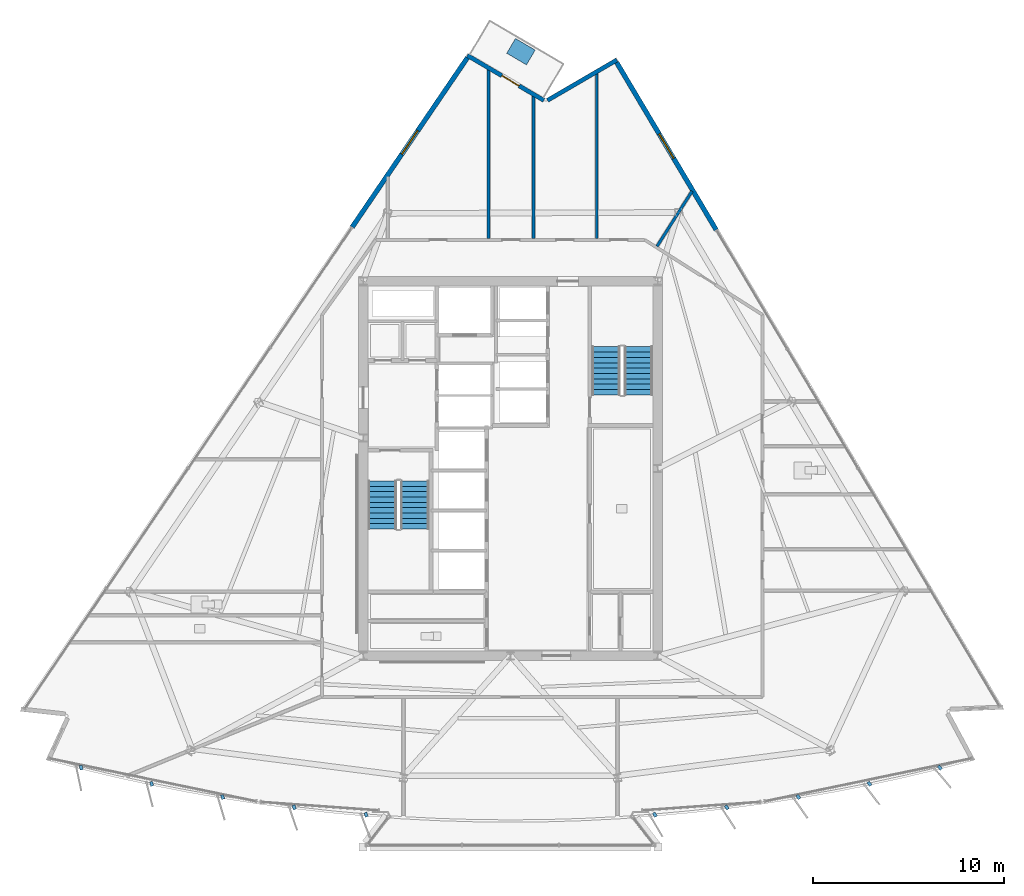
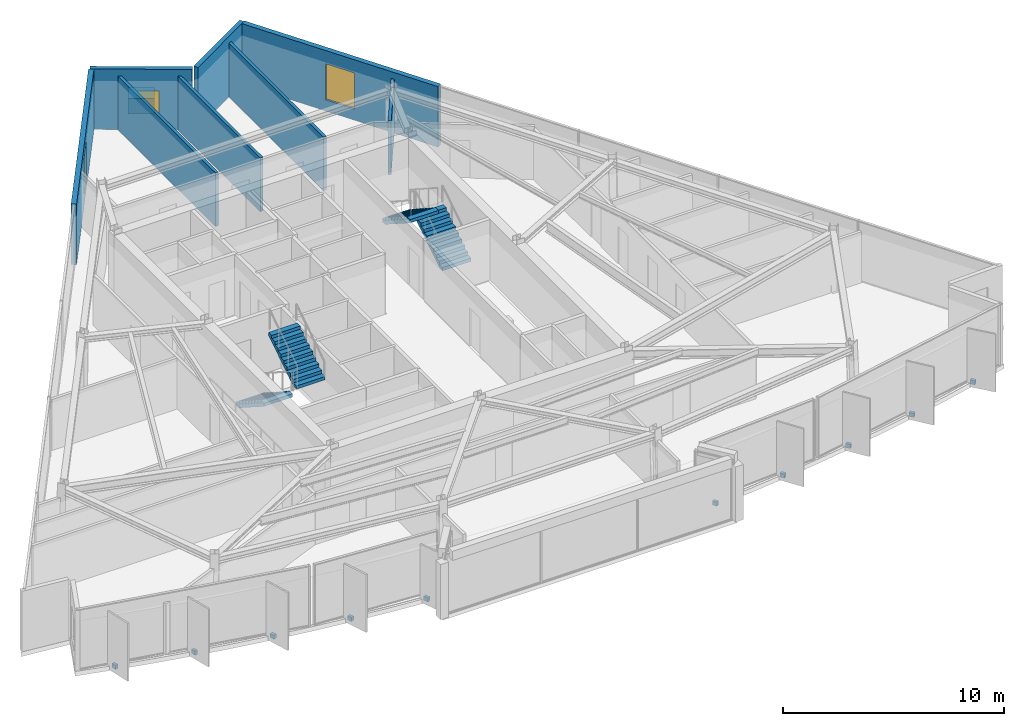
# One storey, part 10 of 14: 11 discrete accessories, 8 walls, 4 stair flights, 2 windows, 1 door, 3 openings, 2 elements without a shape of their own.
"""IFC4 building model written with IfcOpenShell, lengths in metres."""

from ifc_helpers import new_model, si_unit, direction, frame, frame_2d, origin, origin_2d, place, context, subcontext, project, spatial, polyline, rectangle, outline, extrude, material, layer, layer_set, type_object, element, fill, aggregate, save


model = new_model("IFC4")

# Units and contexts
model_context = context("Model", 3, precision=1e-05, world=origin(), true_north=direction((0.0, 1.0)))
body_context = subcontext(model_context, "Body", "Model", "MODEL_VIEW")
ifc_project = project(units=[si_unit("LENGTHUNIT", "METRE"), si_unit("AREAUNIT", "SQUARE_METRE"), si_unit("VOLUMEUNIT", "CUBIC_METRE"), si_unit("PLANEANGLEUNIT", "RADIAN"), si_unit("MASSUNIT", "GRAM", prefix="KILO")], contexts=[model_context])

# Site, building, storey
site_placement = place(None, origin())
site = spatial("IfcSite", under=ifc_project, at=site_placement, CompositionType="ELEMENT")
building_placement = place(site_placement, origin())
building = spatial("IfcBuilding", under=site, at=building_placement, Name="Savorim Split Tower", CompositionType="ELEMENT")
storey_placement = place(building_placement, frame((0.0, 0.0, 209.10009765625)))
storey = spatial("IfcBuildingStorey", under=building, at=storey_placement, Name="L55", CompositionType="ELEMENT", Elevation=209.10009765625)

# Wall
ifc_material_1 = material(Name="Precast concrete C40/50", Category="concrete")
ifc_layer_1 = layer(ifc_material_1, 0.219970703125)
ifc_layer_set_1 = layer_set([ifc_layer_1], Name="WAL-EXT-CRN220")
wall_type_1 = type_object("IfcWallType", Name="WAL-EXT-CRN220", PredefinedType="SOLIDWALL", material=ifc_layer_set_1)
wall_1_placement = place(storey_placement, frame((1.935302734375, 19.656494140625, 0.0), z_axis=(0.0, 0.0, 1.0), x_axis=(0.863987356641, 0.503513502862, 0.0)))
element("IfcWall", 1, at=wall_1_placement, inside=storey, type_object=wall_type_1, Name="L55 Notched Corner Facade Wall NE1", PredefinedType="SOLIDWALL", context=body_context, shape_type="SweptSolid", body=[
    extrude(rectangle(XDim=4.203857421875, YDim=0.219970703125, at=frame_2d((2.10205078125, 0.0))), origin(), (0.0, 0.0, 1.0), 3.349853515625),
])

# Wall, opening, door
wall_2_placement = place(storey_placement, frame((-2.25927734375, 22.01025390625, 0.0), z_axis=(0.0, 0.0, 1.0), x_axis=(0.862123324624, -0.506698503193, 0.0)))
wall_2 = element("IfcWall", 2, at=wall_2_placement, inside=storey, type_object=wall_type_1, Name="L55 Notched Corner Facade Wall N", PredefinedType="SOLIDWALL", context=body_context, shape_type="SweptSolid", body=[
    extrude(rectangle(XDim=4.644775390625, YDim=0.219970703125, at=frame_2d((2.322265625, 0.0))), origin(), (0.0, 0.0, 1.0), 3.349853515625),
])
opening_1_placement = place(wall_2_placement, frame((2.097412109375, 0.0, 0.0)))
opening_1 = element("IfcOpeningElement", 3, at=opening_1_placement, cuts=wall_2, Name="Opening DB-01", PredefinedType="OPENING", context=body_context, shape_type="SweptSolid", body=[
    extrude(rectangle(XDim=1.050048828125, YDim=2.14990234375, at=frame_2d((0.52490234375, 1.074951171875))), frame((0.0, 0.119873046875, 0.0), z_axis=(0.0, -1.0, 0.0), x_axis=(1.0, 0.0, 0.0)), (0.0, 0.0, 1.0), 0.239990234375),
])
ifc_material_2 = material(Name="Charcoal Anodised Aluminium", Category="aluminium")
door_type = type_object("IfcDoorType", Name="DOR-BAL-1050", OperationType="NOTDEFINED", PredefinedType="DOOR", material=ifc_material_2)
door_placement = place(opening_1_placement, origin())
door = element("IfcDoor", 4, at=door_placement, inside=storey, type_object=door_type, Name="DOR-L55-TBAL-N - L55 Planted Tree Balcony Door N", OperationType="SINGLE_SWING_RIGHT", OverallHeight=2.14990234375, OverallWidth=1.050048828125, PredefinedType="DOOR", context=body_context, shape_type="SweptSolid", body=[
    extrude(rectangle(XDim=1.050048828125, YDim=2.14990234375, at=frame_2d((0.52490234375, 1.074951171875))), frame((0.0, 0.02490234375, 0.0), z_axis=(0.0, -1.0, 0.0), x_axis=(1.0, 0.0, 0.0)), (0.0, 0.0, 1.0), 0.050048828125),
])
fill(opening_1, door)

# Wall, opening, window
ifc_layer_2 = layer(ifc_material_1, 0.25)
ifc_layer_set_2 = layer_set([ifc_layer_2], Name="WAL-EXT-SPN250")
wall_type_2 = type_object("IfcWallType", Name="WAL-EXT-SPN250", PredefinedType="SOLIDWALL", material=ifc_layer_set_2)
wall_3_placement = place(storey_placement, frame((5.55078125, 21.646728515625, 0.0), z_axis=(0.0, 0.0, 1.0), x_axis=(0.511094988088, -0.859524236512, 0.0)))
wall_3 = element("IfcWall", 5, at=wall_3_placement, inside=storey, type_object=wall_type_2, Name="L55 East Operable Window Pier", PredefinedType="SOLIDWALL", context=body_context, shape_type="SweptSolid", body=[
    extrude(rectangle(XDim=10.199951171875, YDim=0.25, at=frame_2d((5.10009765625, 0.0))), origin(), (0.0, 0.0, 1.0), 3.349853515625),
])
opening_2_placement = place(wall_3_placement, frame((4.35009765625, 0.0, 0.6201171875)))
opening_2 = element("IfcOpeningElement", 6, at=opening_2_placement, cuts=wall_3, Name="Opening WN-06", PredefinedType="OPENING", context=body_context, shape_type="SweptSolid", body=[
    extrude(rectangle(XDim=1.5, YDim=2.0, at=frame_2d((0.75, 1.0))), frame((0.0, 0.135009765625, 0.0), z_axis=(0.0, -1.0, 0.0), x_axis=(1.0, 0.0, 0.0)), (0.0, 0.0, 1.0), 0.27001953125),
])
ifc_material_3 = material(Name="Low-E Operable Double Glazing", Category="glass")
window_type = type_object("IfcWindowType", Name="WIN-TWR-1500x2000", PartitioningType="SINGLE_PANEL", PredefinedType="WINDOW", material=ifc_material_3)
window_1_placement = place(opening_2_placement, origin())
window_1 = element("IfcWindow", 7, at=window_1_placement, inside=storey, type_object=window_type, Name="L55 East Operable Ventilation Window", OverallHeight=2.0, OverallWidth=1.5, PartitioningType="SINGLE_PANEL", PredefinedType="WINDOW", context=body_context, shape_type="SweptSolid", body=[
    extrude(rectangle(XDim=1.5, YDim=2.0, at=frame_2d((0.75, 1.0))), frame((0.0, 0.030029296875, 0.0), z_axis=(0.0, -1.0, 0.0), x_axis=(1.0, 0.0, 0.0)), (0.0, 0.0, 1.0), 0.06005859375),
])
fill(opening_2, window_1)

wall_4_placement = place(storey_placement, frame((-8.28369140625, 13.02587890625, 0.0), z_axis=(0.0, 0.0, 1.0), x_axis=(0.562468945091, 0.826818411629, 0.0)))
wall_4 = element("IfcWall", 8, at=wall_4_placement, inside=storey, type_object=wall_type_2, Name="L55 West Operable Window Pier", PredefinedType="SOLIDWALL", context=body_context, shape_type="SweptSolid", body=[
    extrude(rectangle(XDim=10.714111328125, YDim=0.25, at=frame_2d((5.35693359375, 0.0))), origin(), (0.0, 0.0, 1.0), 3.349853515625),
])
opening_3_placement = place(wall_4_placement, frame((4.607177734375, 0.0, 0.6201171875)))
opening_3 = element("IfcOpeningElement", 9, at=opening_3_placement, cuts=wall_4, Name="Opening WN-06", PredefinedType="OPENING", context=body_context, shape_type="SweptSolid", body=[
    extrude(rectangle(XDim=1.5, YDim=2.0, at=frame_2d((0.75, 1.0))), frame((0.0, 0.135009765625, 0.0), z_axis=(0.0, -1.0, 0.0), x_axis=(1.0, 0.0, 0.0)), (0.0, 0.0, 1.0), 0.27001953125),
])
window_2_placement = place(opening_3_placement, origin())
window_2 = element("IfcWindow", 10, at=window_2_placement, inside=storey, type_object=window_type, Name="L55 West Operable Ventilation Window", OverallHeight=2.0, OverallWidth=1.5, PartitioningType="SINGLE_PANEL", PredefinedType="WINDOW", context=body_context, shape_type="SweptSolid", body=[
    extrude(rectangle(XDim=1.5, YDim=2.0, at=frame_2d((0.75, 1.0))), frame((0.0, 0.030029296875, 0.0), z_axis=(0.0, -1.0, 0.0), x_axis=(1.0, 0.0, 0.0)), (0.0, 0.0, 1.0), 0.06005859375),
])
fill(opening_3, window_2)

# Walls
ifc_material_4 = material(Name="Acoustic Gypsum Partition Board")
ifc_layer_3 = layer(ifc_material_4, 0.14990234375)
ifc_layer_set_3 = layer_set([ifc_layer_3], Name="WAL-PAR-150")
wall_type_3 = type_object("IfcWallType", Name="WAL-PAR-150", PredefinedType="PARTITIONING", material=ifc_layer_set_3)
wall_5_placement = place(storey_placement, frame((7.6650390625, 12.02294921875, 0.0), z_axis=(0.0, 0.0, 1.0), x_axis=(0.536741480684, 0.843746752831, 0.0)))
element("IfcWall", 11, at=wall_5_placement, inside=storey, type_object=wall_type_3, Name="L55 Partition W-L55-PRAD07", PredefinedType="PARTITIONING", context=body_context, shape_type="SweptSolid", body=[
    extrude(rectangle(XDim=3.418701171875, YDim=0.14990234375, at=frame_2d((1.70947265625, 0.0))), origin(), (0.0, 0.0, 1.0), 2.974853515625),
])
wall_6_placement = place(storey_placement, frame((1.201416015625, 12.419921875, 0.0), z_axis=(0.0, 0.0, 1.0), x_axis=(0.0, 1.0, 0.0)))
element("IfcWall", 12, at=wall_6_placement, inside=storey, type_object=wall_type_3, Name="L55 Partition W-L55-SUB03", PredefinedType="PARTITIONING", context=body_context, shape_type="SweptSolid", body=[
    extrude(rectangle(XDim=7.498291015625, YDim=0.14990234375, at=frame_2d((3.7490234375, 0.0))), origin(), (0.0, 0.0, 1.0), 2.974853515625),
])
wall_7_placement = place(storey_placement, frame((4.51220703125, 12.419921875, 0.0), z_axis=(0.0, 0.0, 1.0), x_axis=(0.0, 1.0, 0.0)))
element("IfcWall", 13, at=wall_7_placement, inside=storey, type_object=wall_type_3, Name="L55 Partition W-L55-SUB07", PredefinedType="PARTITIONING", context=body_context, shape_type="SweptSolid", body=[
    extrude(rectangle(XDim=8.680419921875, YDim=0.14990234375, at=frame_2d((4.34033203125, 0.0))), origin(), (0.0, 0.0, 1.0), 2.974853515625),
])
wall_8_placement = place(storey_placement, frame((-1.14599609375, 12.419921875, 0.0), z_axis=(0.0, 0.0, 1.0), x_axis=(0.0, 1.0, 0.0)))
element("IfcWall", 14, at=wall_8_placement, inside=storey, type_object=wall_type_3, Name="L55 Partition W-L55-SUB08", PredefinedType="PARTITIONING", context=body_context, shape_type="SweptSolid", body=[
    extrude(rectangle(XDim=8.878173828125, YDim=0.14990234375, at=frame_2d((4.43896484375, 0.0))), origin(), (0.0, 0.0, 1.0), 2.974853515625),
])

# Stair, stair flights
ifc_material_5 = material(Name="Concrete C50/60", Category="concrete")
stair_type = type_object("IfcStairType", Name="STR-DOG-3600", PredefinedType="HALF_TURN_STAIR", material=ifc_material_5)
stair_1_placement = place(storey_placement, origin())
stair_1 = element("IfcStair", 15, at=stair_1_placement, inside=storey, type_object=stair_type, Name="L55 Core Protected Exit Stair ST-1", PredefinedType="HALF_TURN_STAIR")
stair_flight_type = type_object("IfcStairFlightType", Name="SFL-DOG-3600", PredefinedType="STRAIGHT", material=ifc_material_5)
stair_flight_1_placement = place(storey_placement, frame((-6.699951171875, -0.25, 0.0), z_axis=(0.0, 0.0, 1.0), x_axis=(0.0, -1.0, 0.0)))
stair_flight_1 = element("IfcStairFlight", 16, at=stair_flight_1_placement, type_object=stair_flight_type, Name="ST-1 flight 1", NumberOfRisers=10, NumberOfTreads=9, PredefinedType="STRAIGHT", RiserHeight=0.18, TreadLength=0.28, context=body_context, shape_type="SweptSolid", body=[
    extrude(outline(polyline([(0.0, 0.0), (0.0, 0.179931640625), (0.280029296875, 0.179931640625), (0.280029296875, 0.360107421875), (0.56005859375, 0.360107421875), (0.56005859375, 0.5400390625), (0.840087890625, 0.5400390625), (0.840087890625, 0.719970703125), (1.1201171875, 0.719970703125), (1.1201171875, 0.89990234375), (1.39990234375, 0.89990234375), (1.39990234375, 1.080078125), (1.679931640625, 1.080078125), (1.679931640625, 1.260009765625), (1.9599609375, 1.260009765625), (1.9599609375, 1.43994140625), (2.239990234375, 1.43994140625), (2.239990234375, 1.6201171875), (2.52001953125, 1.6201171875), (2.52001953125, 1.800048828125), (2.52001953125, 1.44189453125), (0.277099609375, 0.0), (0.0, 0.0)])), frame((0.0, 0.75, 0.0), z_axis=(0.0, -1.0, 0.0), x_axis=(1.0, 0.0, 0.0)), (0.0, 0.0, 1.0), 1.5),
])
stair_flight_2_placement = place(storey_placement, frame((-5.0, -2.77001953125, 1.7998046875), z_axis=(0.0, 0.0, 1.0), x_axis=(0.0, 1.0, 0.0)))
stair_flight_2 = element("IfcStairFlight", 17, at=stair_flight_2_placement, type_object=stair_flight_type, Name="ST-1 flight 2", NumberOfRisers=10, NumberOfTreads=9, PredefinedType="STRAIGHT", RiserHeight=0.18, TreadLength=0.28, context=body_context, shape_type="SweptSolid", body=[
    extrude(outline(polyline([(0.0, 0.0), (0.0, 0.179931640625), (0.280029296875, 0.179931640625), (0.280029296875, 0.360107421875), (0.56005859375, 0.360107421875), (0.56005859375, 0.5400390625), (0.840087890625, 0.5400390625), (0.840087890625, 0.719970703125), (1.1201171875, 0.719970703125), (1.1201171875, 0.89990234375), (1.39990234375, 0.89990234375), (1.39990234375, 1.080078125), (1.679931640625, 1.080078125), (1.679931640625, 1.260009765625), (1.9599609375, 1.260009765625), (1.9599609375, 1.43994140625), (2.239990234375, 1.43994140625), (2.239990234375, 1.6201171875), (2.52001953125, 1.6201171875), (2.52001953125, 1.800048828125), (2.52001953125, 1.44189453125), (0.277099609375, 0.0), (0.0, 0.0)])), frame((0.0, 0.75, 0.0), z_axis=(0.0, -1.0, 0.0), x_axis=(1.0, 0.0, 0.0)), (0.0, 0.0, 1.0), 1.5),
])
aggregate(stair_1, [stair_flight_1, stair_flight_2])

stair_2_placement = place(storey_placement, origin())
stair_2 = element("IfcStair", 18, at=stair_2_placement, inside=storey, type_object=stair_type, Name="L55 Core Protected Exit Stair ST-2", PredefinedType="HALF_TURN_STAIR")
stair_flight_3_placement = place(storey_placement, frame((6.699951171875, 4.25, 0.0), z_axis=(0.0, 0.0, 1.0), x_axis=(0.0, 1.0, 0.0)))
stair_flight_3 = element("IfcStairFlight", 19, at=stair_flight_3_placement, type_object=stair_flight_type, Name="ST-2 flight 1", NumberOfRisers=10, NumberOfTreads=9, PredefinedType="STRAIGHT", RiserHeight=0.18, TreadLength=0.28, context=body_context, shape_type="SweptSolid", body=[
    extrude(outline(polyline([(0.0, 0.0), (0.0, 0.179931640625), (0.280029296875, 0.179931640625), (0.280029296875, 0.360107421875), (0.56005859375, 0.360107421875), (0.56005859375, 0.5400390625), (0.840087890625, 0.5400390625), (0.840087890625, 0.719970703125), (1.1201171875, 0.719970703125), (1.1201171875, 0.89990234375), (1.39990234375, 0.89990234375), (1.39990234375, 1.080078125), (1.679931640625, 1.080078125), (1.679931640625, 1.260009765625), (1.9599609375, 1.260009765625), (1.9599609375, 1.43994140625), (2.239990234375, 1.43994140625), (2.239990234375, 1.6201171875), (2.52001953125, 1.6201171875), (2.52001953125, 1.800048828125), (2.52001953125, 1.44189453125), (0.277099609375, 0.0), (0.0, 0.0)])), frame((0.0, 0.75, 0.0), z_axis=(0.0, -1.0, 0.0), x_axis=(1.0, 0.0, 0.0)), (0.0, 0.0, 1.0), 1.5),
])
stair_flight_4_placement = place(storey_placement, frame((5.0, 6.77001953125, 1.7998046875), z_axis=(0.0, 0.0, 1.0), x_axis=(0.0, -1.0, 0.0)))
stair_flight_4 = element("IfcStairFlight", 20, at=stair_flight_4_placement, type_object=stair_flight_type, Name="ST-2 flight 2", NumberOfRisers=10, NumberOfTreads=9, PredefinedType="STRAIGHT", RiserHeight=0.18, TreadLength=0.28, context=body_context, shape_type="SweptSolid", body=[
    extrude(outline(polyline([(0.0, 0.0), (0.0, 0.179931640625), (0.280029296875, 0.179931640625), (0.280029296875, 0.360107421875), (0.56005859375, 0.360107421875), (0.56005859375, 0.5400390625), (0.840087890625, 0.5400390625), (0.840087890625, 0.719970703125), (1.1201171875, 0.719970703125), (1.1201171875, 0.89990234375), (1.39990234375, 0.89990234375), (1.39990234375, 1.080078125), (1.679931640625, 1.080078125), (1.679931640625, 1.260009765625), (1.9599609375, 1.260009765625), (1.9599609375, 1.43994140625), (2.239990234375, 1.43994140625), (2.239990234375, 1.6201171875), (2.52001953125, 1.6201171875), (2.52001953125, 1.800048828125), (2.52001953125, 1.44189453125), (0.277099609375, 0.0), (0.0, 0.0)])), frame((0.0, 0.75, 0.0), z_axis=(0.0, -1.0, 0.0), x_axis=(1.0, 0.0, 0.0)), (0.0, 0.0, 1.0), 1.5),
])
aggregate(stair_2, [stair_flight_3, stair_flight_4])

# Discrete accessories
ifc_material_6 = material(Name="Steel S355", Category="steel")
discrete_accessory_type_1 = type_object("IfcDiscreteAccessoryType", Name="ACC-BRK-FIN", PredefinedType="BRACKET", material=ifc_material_6)
for number, where, z_axis, x_axis, name in (
    (21, (-22.460205078125, -15.250732421875, -0.18994140625), (0.0, 0.0, 1.0), (0.206721626106, -0.978399800337, 0.0), "L55 Fin Slab-Edge Cleat Bracket 01"),
    (22, (-18.774658203125, -16.0947265625, -0.18994140625), (0.0, 0.0, 1.0), (0.246581250663, -0.969122121727, 0.0), "L55 Fin Slab-Edge Cleat Bracket 02"),
    (23, (-15.0576171875, -16.787109375, -0.18994140625), (0.0, 0.0, 1.0), (0.286026212504, -0.958221793616, 0.0), "L55 Fin Slab-Edge Cleat Bracket 03"),
    (24, (-11.315185546875, -17.326904296875, -0.18994140625), (0.0, 0.0, 1.0), (0.324993810493, -0.945716143005, 0.0), "L55 Fin Slab-Edge Cleat Bracket 04"),
    (25, (-7.55419921875, -17.713134765625, -0.18994140625), (0.0, 0.0, 1.0), (0.363415461732, -0.931627179817, 0.0), "L55 Fin Slab-Edge Cleat Bracket 05"),
    (26, (7.55419921875, -17.713134765625, -0.18994140625), (0.0, 0.0, 1.0), (0.510391336723, -0.859942255851, 0.0), "L55 Fin Slab-Edge Cleat Bracket 09"),
    (27, (11.315185546875, -17.326904296875, -0.18994140625), (0.0, 0.0, 1.0), (0.545148321708, -0.838339613366, 0.0), "L55 Fin Slab-Edge Cleat Bracket 10"),
    (28, (15.0576171875, -16.787109375, -0.18994140625), (0.0, 0.0, 1.0), (0.578993757737, -0.815331974414, 0.0), "L55 Fin Slab-Edge Cleat Bracket 11"),
    (29, (18.774658203125, -16.0947265625, -0.18994140625), (0.0, 0.0, 1.0), (0.611868076908, -0.790959832394, 0.0), "L55 Fin Slab-Edge Cleat Bracket 12"),
    (30, (22.460205078125, -15.250732421875, -0.18994140625), (0.0, 0.0, 1.0), (0.643719022682, -0.765261928909, 0.0), "L55 Fin Slab-Edge Cleat Bracket 13"),
):
    element("IfcDiscreteAccessory", number, at=place(storey_placement, frame(where, z_axis=z_axis, x_axis=x_axis)), inside=storey, type_object=discrete_accessory_type_1, Name=name, PredefinedType="BRACKET", context=body_context, shape_type="SweptSolid", body=[
        extrude(rectangle(XDim=0.239990234375, YDim=0.159912109375, at=origin_2d()), origin(), (0.0, 0.0, 1.0), 0.219970703125),
    ])
ifc_material_7 = material(Name="Architectural Precast Planter Concrete C40/50", Category="concrete")
discrete_accessory_type_2 = type_object("IfcDiscreteAccessoryType", Name="ACC-PLN-TREE", PredefinedType="USERDEFINED", material=ifc_material_7)
discrete_accessory_placement = place(storey_placement, frame((0.548583984375, 22.204345703125, -0.000244140625), z_axis=(0.0, 0.0, 1.0), x_axis=(-0.862124808883, 0.50669597779, 0.0)))
element("IfcDiscreteAccessory", 31, at=discrete_accessory_placement, inside=storey, type_object=discrete_accessory_type_2, Name="L55 Balcony Precast Tree Planter N", ObjectType="PLANTER", PredefinedType="USERDEFINED", context=body_context, shape_type="SweptSolid", body=[
    extrude(rectangle(XDim=1.199951171875, YDim=0.89990234375, at=origin_2d()), origin(), (0.0, 0.0, 1.0), 0.85009765625),
])

save(model, "model.ifc")
